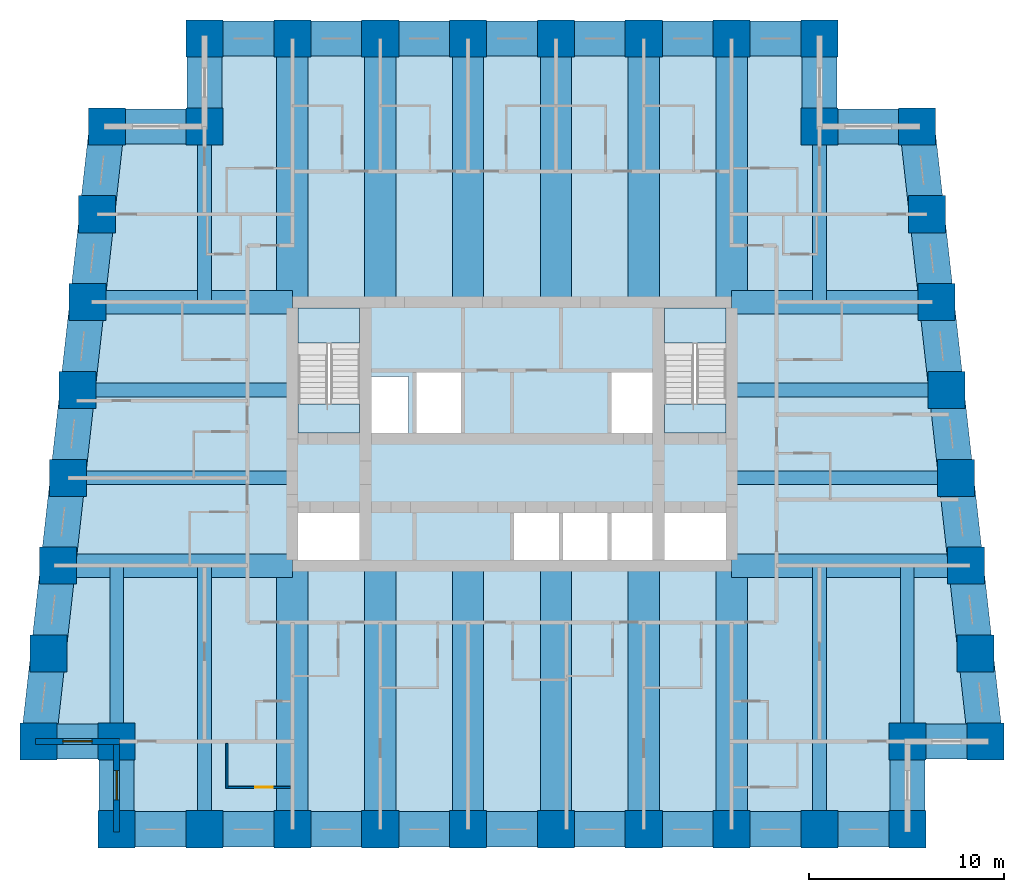
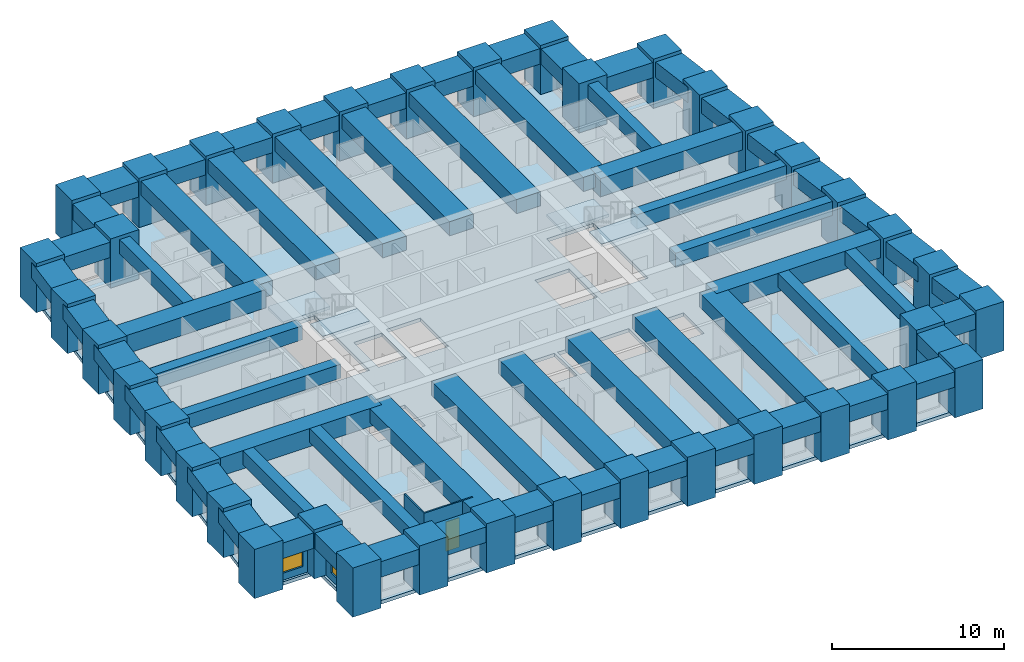
# One storey, part 1 of 8: 64 beams, 38 columns, 5 slabs, 4 walls, 2 windows, 1 door, 3 openings, 2 elements without a shape of their own.
"""IFC4 building model written with IfcOpenShell, lengths in metres."""

from ifc_helpers import new_model, si_unit, direction, frame, frame_2d, origin, origin_2d, place, context, subcontext, project, spatial, polyline, rectangle, outline, extrude, material, layer, layer_set, material_profile, profile_set, type_object, element, fill, aggregate, save


model = new_model("IFC4")

# Units and contexts
model_context = context("Model", 3, precision=1e-05, world=origin(), true_north=direction((0.0, 1.0)))
body_context = subcontext(model_context, "Body", "Model", "MODEL_VIEW")
ifc_project = project(units=[si_unit("LENGTHUNIT", "METRE"), si_unit("AREAUNIT", "SQUARE_METRE"), si_unit("VOLUMEUNIT", "CUBIC_METRE"), si_unit("PLANEANGLEUNIT", "RADIAN"), si_unit("MASSUNIT", "GRAM", prefix="KILO")], contexts=[model_context])

# Site, building, storey
site_placement = place(None, origin())
site = spatial("IfcSite", under=ifc_project, at=site_placement, CompositionType="ELEMENT")
building_placement = place(site_placement, origin())
building = spatial("IfcBuilding", under=site, at=building_placement, Name="Kilele Tower Hotel", CompositionType="ELEMENT")
storey_placement = place(building_placement, frame((0.0, 0.0, 96.89990234375)))
storey = spatial("IfcBuildingStorey", under=building, at=storey_placement, Name="L24", CompositionType="ELEMENT", Elevation=96.89990234375)

# Columns
ifc_material_1 = material(Name="Concrete C70/85", Category="concrete")
ifc_material_profile_1 = material_profile(ifc_material_1, rectangle(XDim=1.89990234375, YDim=1.89990234375, at=origin_2d()))
ifc_profile_set_1 = profile_set([ifc_material_profile_1], Name="Concrete C70/85")
column_type = type_object("IfcColumnType", Name="Tube column RC 1900x1900 C70/85", PredefinedType="COLUMN", material=ifc_profile_set_1)
for number, where, z_axis, x_axis, name in (
    (1, (0.5, 4.5, 0.0), (0.0, 0.0, 1.0), (1.0, 0.0, 0.0), "Column TC2 L24"),
    (2, (4.5, 4.5, 0.0), (0.0, 0.0, 1.0), (1.0, 0.0, 0.0), "Column TC2 L24"),
    (3, (4.5, 0.0, 0.0), (0.0, 0.0, 1.0), (1.0, 0.0, 0.0), "Column TC2 L24"),
    (4, (9.0, 0.0, 0.0), (0.0, 0.0, 1.0), (1.0, 0.0, 0.0), "Column TC2 L24"),
    (5, (13.5, 0.0, 0.0), (0.0, 0.0, 1.0), (1.0, 0.0, 0.0), "Column TC2 L24"),
    (6, (18.0, 0.0, 0.0), (0.0, 0.0, 1.0), (1.0, 0.0, 0.0), "Column TC2 L24"),
    (7, (22.5, 0.0, 0.0), (0.0, 0.0, 1.0), (1.0, 0.0, 0.0), "Column TC2 L24"),
    (8, (27.0, 0.0, 0.0), (0.0, 0.0, 1.0), (1.0, 0.0, 0.0), "Column TC2 L24"),
    (9, (31.5, 0.0, 0.0), (0.0, 0.0, 1.0), (1.0, 0.0, 0.0), "Column TC2 L24"),
    (10, (36.0, 0.0, 0.0), (0.0, 0.0, 1.0), (1.0, 0.0, 0.0), "Column TC2 L24"),
    (11, (40.5, 0.0, 0.0), (0.0, 0.0, 1.0), (1.0, 0.0, 0.0), "Column TC2 L24"),
    (12, (45.0, 0.0, 0.0), (0.0, 0.0, 1.0), (1.0, 0.0, 0.0), "Column TC2 L24"),
    (13, (45.0, 4.5, 0.0), (0.0, 0.0, 1.0), (1.0, 0.0, 0.0), "Column TC2 L24"),
    (14, (49.0, 4.5, 0.0), (0.0, 0.0, 1.0), (1.0, 0.0, 0.0), "Column TC2 L24"),
    (15, (48.5, 9.0, 0.0), (0.0, 0.0, 1.0), (1.0, 0.0, 0.0), "Column TC2 L24"),
    (16, (48.0, 13.5, 0.0), (0.0, 0.0, 1.0), (1.0, 0.0, 0.0), "Column TC2 L24"),
    (17, (47.5, 18.0, 0.0), (0.0, 0.0, 1.0), (1.0, 0.0, 0.0), "Column TC2 L24"),
    (18, (47.0, 22.5, 0.0), (0.0, 0.0, 1.0), (1.0, 0.0, 0.0), "Column TC2 L24"),
    (19, (46.5, 27.0, 0.0), (0.0, 0.0, 1.0), (1.0, 0.0, 0.0), "Column TC2 L24"),
    (20, (46.0, 31.5, 0.0), (0.0, 0.0, 1.0), (1.0, 0.0, 0.0), "Column TC2 L24"),
    (21, (45.5, 36.0, 0.0), (0.0, 0.0, 1.0), (1.0, 0.0, 0.0), "Column TC2 L24"),
    (22, (40.5, 36.0, 0.0), (0.0, 0.0, 1.0), (1.0, 0.0, 0.0), "Column TC2 L24"),
    (23, (40.5, 40.5, 0.0), (0.0, 0.0, 1.0), (1.0, 0.0, 0.0), "Column TC2 L24"),
    (24, (36.0, 40.5, 0.0), (0.0, 0.0, 1.0), (1.0, 0.0, 0.0), "Column TC2 L24"),
    (25, (31.5, 40.5, 0.0), (0.0, 0.0, 1.0), (1.0, 0.0, 0.0), "Column TC2 L24"),
    (26, (27.0, 40.5, 0.0), (0.0, 0.0, 1.0), (1.0, 0.0, 0.0), "Column TC2 L24"),
    (27, (22.5, 40.5, 0.0), (0.0, 0.0, 1.0), (1.0, 0.0, 0.0), "Column TC2 L24"),
    (28, (18.0, 40.5, 0.0), (0.0, 0.0, 1.0), (1.0, 0.0, 0.0), "Column TC2 L24"),
    (29, (13.5, 40.5, 0.0), (0.0, 0.0, 1.0), (1.0, 0.0, 0.0), "Column TC2 L24"),
    (30, (9.0, 40.5, 0.0), (0.0, 0.0, 1.0), (1.0, 0.0, 0.0), "Column TC2 L24"),
    (31, (9.0, 36.0, 0.0), (0.0, 0.0, 1.0), (1.0, 0.0, 0.0), "Column TC2 L24"),
    (32, (4.0, 36.0, 0.0), (0.0, 0.0, 1.0), (1.0, 0.0, 0.0), "Column TC2 L24"),
    (33, (3.5, 31.5, 0.0), (0.0, 0.0, 1.0), (1.0, 0.0, 0.0), "Column TC2 L24"),
    (34, (3.0, 27.0, 0.0), (0.0, 0.0, 1.0), (1.0, 0.0, 0.0), "Column TC2 L24"),
    (35, (2.5, 22.5, 0.0), (0.0, 0.0, 1.0), (1.0, 0.0, 0.0), "Column TC2 L24"),
    (36, (2.0, 18.0, 0.0), (0.0, 0.0, 1.0), (1.0, 0.0, 0.0), "Column TC2 L24"),
    (37, (1.5, 13.5, 0.0), (0.0, 0.0, 1.0), (1.0, 0.0, 0.0), "Column TC2 L24"),
    (38, (1.0, 9.0, 0.0), (0.0, 0.0, 1.0), (1.0, 0.0, 0.0), "Column TC2 L24"),
):
    element("IfcColumn", number, at=place(storey_placement, frame(where, z_axis=z_axis, x_axis=x_axis)), inside=storey, type_object=column_type, Name=name, PredefinedType="COLUMN", context=body_context, shape_type="SweptSolid", body=[
        extrude(rectangle(XDim=1.89990234375, YDim=1.89990234375, at=origin_2d()), origin(), (0.0, 0.0, 1.0), 3.5),
    ])

# Beams
ifc_material_2 = material(Name="Concrete C60/75", Category="concrete")
ifc_material_profile_2 = material_profile(ifc_material_2, rectangle(XDim=1.60009765625, YDim=1.0, at=origin_2d()))
ifc_profile_set_2 = profile_set([ifc_material_profile_2], Name="Concrete C60/75")
beam_type_1 = type_object("IfcBeamType", Name="Beam RC 1600x1000 C60/75", PredefinedType="BEAM", material=ifc_profile_set_2)
for number, where, z_axis, x_axis, name in (
    (39, (13.5, 0.0, 2.75), (0.0, 1.0, 0.0), (-1.0, 0.0, 0.0), "Beam BC1 level L25"),
    (40, (18.0, 0.0, 2.75), (0.0, 1.0, 0.0), (-1.0, 0.0, 0.0), "Beam BC1 level L25"),
    (41, (22.5, 0.0, 2.75), (0.0, 1.0, 0.0), (-1.0, 0.0, 0.0), "Beam BC1 level L25"),
    (42, (27.0, 0.0, 2.75), (0.0, 1.0, 0.0), (-1.0, 0.0, 0.0), "Beam BC1 level L25"),
    (43, (31.5, 0.0, 2.75), (0.0, 1.0, 0.0), (-1.0, 0.0, 0.0), "Beam BC1 level L25"),
    (44, (36.0, 0.0, 2.75), (0.0, 1.0, 0.0), (-1.0, 0.0, 0.0), "Beam BC1 level L25"),
    (45, (36.0, 40.5, 2.75), (0.0, -1.0, 0.0), (1.0, 0.0, 0.0), "Beam BC1 level L25"),
    (46, (31.5, 40.5, 2.75), (0.0, -1.0, 0.0), (1.0, 0.0, 0.0), "Beam BC1 level L25"),
    (47, (27.0, 40.5, 2.75), (0.0, -1.0, 0.0), (1.0, 0.0, 0.0), "Beam BC1 level L25"),
    (48, (22.5, 40.5, 2.75), (0.0, -1.0, 0.0), (1.0, 0.0, 0.0), "Beam BC1 level L25"),
    (49, (18.0, 40.5, 2.75), (0.0, -1.0, 0.0), (1.0, 0.0, 0.0), "Beam BC1 level L25"),
    (50, (13.5, 40.5, 2.75), (0.0, -1.0, 0.0), (1.0, 0.0, 0.0), "Beam BC1 level L25"),
):
    element("IfcBeam", number, at=place(storey_placement, frame(where, z_axis=z_axis, x_axis=x_axis)), inside=storey, type_object=beam_type_1, Name=name, PredefinedType="BEAM", context=body_context, shape_type="SweptSolid", body=[
        extrude(rectangle(XDim=1.60009765625, YDim=1.0, at=origin_2d()), origin(), (0.0, 0.0, 1.0), 13.5),
    ])
ifc_material_3 = material(Name="Concrete C60/75", Category="concrete")
ifc_material_profile_3 = material_profile(ifc_material_3, rectangle(XDim=0.699951171875, YDim=1.0, at=origin_2d()))
ifc_profile_set_3 = profile_set([ifc_material_profile_3], Name="Concrete C60/75")
beam_type_2 = type_object("IfcBeamType", Name="Beam RC 700x1000 C60/75", PredefinedType="BEAM", material=ifc_profile_set_3)
for number, where, z_axis, x_axis, name in (
    (51, (9.0, 0.0, 2.75), (0.0, 1.0, 0.0), (-1.0, 0.0, 0.0), "Beam B4 level L25"),
    (52, (40.5, 0.0, 2.75), (0.0, 1.0, 0.0), (-1.0, 0.0, 0.0), "Beam B4 level L25"),
):
    element("IfcBeam", number, at=place(storey_placement, frame(where, z_axis=z_axis, x_axis=x_axis)), inside=storey, type_object=beam_type_2, Name=name, PredefinedType="BEAM", context=body_context, shape_type="SweptSolid", body=[
        extrude(rectangle(XDim=0.699951171875, YDim=1.0, at=origin_2d()), origin(), (0.0, 0.0, 1.0), 13.5),
    ])
ifc_material_4 = material(Name="Concrete C60/75", Category="concrete")
ifc_material_profile_4 = material_profile(ifc_material_4, rectangle(XDim=0.699951171875, YDim=1.0, at=origin_2d()))
ifc_profile_set_4 = profile_set([ifc_material_profile_4], Name="Concrete C60/75")
beam_type_3 = type_object("IfcBeamType", Name="Beam RC 700x1000 C60/75 mid span", PredefinedType="BEAM", material=ifc_profile_set_4)
for number, where, z_axis, x_axis, name in (
    (53, (4.5, 4.5, 2.75), (0.0, 1.0, 0.0), (-1.0, 0.0, 0.0), "Beam B5 level L25"),
    (54, (45.0, 4.5, 2.75), (0.0, 1.0, 0.0), (-1.0, 0.0, 0.0), "Beam B5 level L25"),
):
    element("IfcBeam", number, at=place(storey_placement, frame(where, z_axis=z_axis, x_axis=x_axis)), inside=storey, type_object=beam_type_3, Name=name, PredefinedType="BEAM", context=body_context, shape_type="SweptSolid", body=[
        extrude(rectangle(XDim=0.699951171875, YDim=1.0, at=origin_2d()), origin(), (0.0, 0.0, 1.0), 9.0),
    ])
beam_1_placement = place(storey_placement, frame((47.5, 18.0, 2.75), z_axis=(-1.0, 0.0, 0.0), x_axis=(0.0, -1.0, 0.0)))
element("IfcBeam", 55, at=beam_1_placement, inside=storey, type_object=beam_type_3, Name="Beam B5 level L25", PredefinedType="BEAM", context=body_context, shape_type="SweptSolid", body=[
    extrude(rectangle(XDim=0.699951171875, YDim=1.0, at=origin_2d()), origin(), (0.0, 0.0, 1.0), 11.5),
])
beam_2_placement = place(storey_placement, frame((47.0, 22.5, 2.75), z_axis=(-1.0, 0.0, 0.0), x_axis=(0.0, -1.0, 0.0)))
element("IfcBeam", 56, at=beam_2_placement, inside=storey, type_object=beam_type_3, Name="Beam B5 level L25", PredefinedType="BEAM", context=body_context, shape_type="SweptSolid", body=[
    extrude(rectangle(XDim=0.699951171875, YDim=1.0, at=origin_2d()), origin(), (0.0, 0.0, 1.0), 11.0),
])
for number, where, z_axis, x_axis, name in (
    (57, (40.5, 36.0, 2.75), (0.0, -1.0, 0.0), (1.0, 0.0, 0.0), "Beam B5 level L25"),
    (58, (9.0, 36.0, 2.75), (0.0, -1.0, 0.0), (1.0, 0.0, 0.0), "Beam B5 level L25"),
):
    element("IfcBeam", number, at=place(storey_placement, frame(where, z_axis=z_axis, x_axis=x_axis)), inside=storey, type_object=beam_type_3, Name=name, PredefinedType="BEAM", context=body_context, shape_type="SweptSolid", body=[
        extrude(rectangle(XDim=0.699951171875, YDim=1.0, at=origin_2d()), origin(), (0.0, 0.0, 1.0), 9.0),
    ])
beam_3_placement = place(storey_placement, frame((2.5, 22.5, 2.75), z_axis=(1.0, 0.0, 0.0), x_axis=(0.0, 1.0, 0.0)))
element("IfcBeam", 59, at=beam_3_placement, inside=storey, type_object=beam_type_3, Name="Beam B5 level L25", PredefinedType="BEAM", context=body_context, shape_type="SweptSolid", body=[
    extrude(rectangle(XDim=0.699951171875, YDim=1.0, at=origin_2d()), origin(), (0.0, 0.0, 1.0), 11.0),
])
beam_4_placement = place(storey_placement, frame((2.0, 18.0, 2.75), z_axis=(1.0, 0.0, 0.0), x_axis=(0.0, 1.0, 0.0)))
element("IfcBeam", 60, at=beam_4_placement, inside=storey, type_object=beam_type_3, Name="Beam B5 level L25", PredefinedType="BEAM", context=body_context, shape_type="SweptSolid", body=[
    extrude(rectangle(XDim=0.699951171875, YDim=1.0, at=origin_2d()), origin(), (0.0, 0.0, 1.0), 11.5),
])
ifc_material_5 = material(Name="Concrete C60/75", Category="concrete")
ifc_material_profile_5 = material_profile(ifc_material_5, rectangle(XDim=1.199951171875, YDim=1.300048828125, at=origin_2d()))
ifc_profile_set_5 = profile_set([ifc_material_profile_5], Name="Concrete C60/75")
beam_type_4 = type_object("IfcBeamType", Name="Girder RC 1200x1300 C60/75", PredefinedType="BEAM", material=ifc_profile_set_5)
for number, where, z_axis, x_axis, name in (
    (61, (48.0, 13.5, 2.60009765625), (-1.0, 0.0, 0.0), (0.0, -1.0, 0.0), "Girder G1 level L25"),
    (62, (1.5, 13.5, 2.60009765625), (1.0, 0.0, 0.0), (0.0, 1.0, 0.0), "Girder G1 level L25"),
):
    element("IfcBeam", number, at=place(storey_placement, frame(where, z_axis=z_axis, x_axis=x_axis)), inside=storey, type_object=beam_type_4, Name=name, PredefinedType="BEAM", context=body_context, shape_type="SweptSolid", body=[
        extrude(rectangle(XDim=1.199951171875, YDim=1.300048828125, at=origin_2d()), origin(), (0.0, 0.0, 1.0), 12.0),
    ])
ifc_material_6 = material(Name="Concrete C60/75", Category="concrete")
ifc_material_profile_6 = material_profile(ifc_material_6, rectangle(XDim=1.199951171875, YDim=1.300048828125, at=origin_2d()))
ifc_profile_set_6 = profile_set([ifc_material_profile_6], Name="Concrete C60/75")
beam_type_5 = type_object("IfcBeamType", Name="Girder RC 1200x1300 C60/75 mid span", PredefinedType="BEAM", material=ifc_profile_set_6)
for number, where, z_axis, x_axis, name in (
    (63, (46.5, 27.0, 2.60009765625), (-1.0, 0.0, 0.0), (0.0, -1.0, 0.0), "Girder G3 level L25"),
    (64, (3.0, 27.0, 2.60009765625), (1.0, 0.0, 0.0), (0.0, 1.0, 0.0), "Girder G3 level L25"),
):
    element("IfcBeam", number, at=place(storey_placement, frame(where, z_axis=z_axis, x_axis=x_axis)), inside=storey, type_object=beam_type_5, Name=name, PredefinedType="BEAM", context=body_context, shape_type="SweptSolid", body=[
        extrude(rectangle(XDim=1.199951171875, YDim=1.300048828125, at=origin_2d()), origin(), (0.0, 0.0, 1.0), 10.5),
    ])
ifc_material_7 = material(Name="Concrete C60/75", Category="concrete")
ifc_material_profile_7 = material_profile(ifc_material_7, rectangle(XDim=1.800048828125, YDim=1.10009765625, at=origin_2d()))
ifc_profile_set_7 = profile_set([ifc_material_profile_7], Name="Concrete C60/75")
beam_type_6 = type_object("IfcBeamType", Name="Spandrel RC 1800x1100 C60/75", PredefinedType="SPANDREL", material=ifc_profile_set_7)
beam_5_placement = place(storey_placement, frame((0.5, 4.5, 2.7001953125), z_axis=(1.0, 0.0, 0.0), x_axis=(0.0, 1.0, 0.0)))
element("IfcBeam", 65, at=beam_5_placement, inside=storey, type_object=beam_type_6, Name="Spandrel SP4 level L25", PredefinedType="SPANDREL", context=body_context, shape_type="SweptSolid", body=[
    extrude(rectangle(XDim=1.800048828125, YDim=1.10009765625, at=origin_2d()), origin(), (0.0, 0.0, 1.0), 4.0),
])
for number, where, z_axis, x_axis, name in (
    (66, (4.5, 4.5, 2.7001953125), (0.0, -1.0, 0.0), (1.0, 0.0, 0.0), "Spandrel SP4 level L25"),
    (67, (4.5, 0.0, 2.7001953125), (1.0, 0.0, 0.0), (0.0, 1.0, 0.0), "Spandrel SP4 level L25"),
    (68, (9.0, 0.0, 2.7001953125), (1.0, 0.0, 0.0), (0.0, 1.0, 0.0), "Spandrel SP4 level L25"),
    (69, (13.5, 0.0, 2.7001953125), (1.0, 0.0, 0.0), (0.0, 1.0, 0.0), "Spandrel SP4 level L25"),
    (70, (18.0, 0.0, 2.7001953125), (1.0, 0.0, 0.0), (0.0, 1.0, 0.0), "Spandrel SP4 level L25"),
    (71, (22.5, 0.0, 2.7001953125), (1.0, 0.0, 0.0), (0.0, 1.0, 0.0), "Spandrel SP4 level L25"),
    (72, (27.0, 0.0, 2.7001953125), (1.0, 0.0, 0.0), (0.0, 1.0, 0.0), "Spandrel SP4 level L25"),
    (73, (31.5, 0.0, 2.7001953125), (1.0, 0.0, 0.0), (0.0, 1.0, 0.0), "Spandrel SP4 level L25"),
    (74, (36.0, 0.0, 2.7001953125), (1.0, 0.0, 0.0), (0.0, 1.0, 0.0), "Spandrel SP4 level L25"),
    (75, (40.5, 0.0, 2.7001953125), (1.0, 0.0, 0.0), (0.0, 1.0, 0.0), "Spandrel SP4 level L25"),
    (76, (45.0, 0.0, 2.7001953125), (0.0, 1.0, 0.0), (-1.0, 0.0, 0.0), "Spandrel SP4 level L25"),
):
    element("IfcBeam", number, at=place(storey_placement, frame(where, z_axis=z_axis, x_axis=x_axis)), inside=storey, type_object=beam_type_6, Name=name, PredefinedType="SPANDREL", context=body_context, shape_type="SweptSolid", body=[
        extrude(rectangle(XDim=1.800048828125, YDim=1.10009765625, at=origin_2d()), origin(), (0.0, 0.0, 1.0), 4.5),
    ])
beam_6_placement = place(storey_placement, frame((45.0, 4.5, 2.7001953125), z_axis=(1.0, 0.0, 0.0), x_axis=(0.0, 1.0, 0.0)))
element("IfcBeam", 77, at=beam_6_placement, inside=storey, type_object=beam_type_6, Name="Spandrel SP4 level L25", PredefinedType="SPANDREL", context=body_context, shape_type="SweptSolid", body=[
    extrude(rectangle(XDim=1.800048828125, YDim=1.10009765625, at=origin_2d()), origin(), (0.0, 0.0, 1.0), 4.0),
])
for number, where, z_axis, x_axis, name in (
    (78, (49.0, 4.5, 2.7001953125), (-0.110431526075, 0.993883734674, 0.0), (-0.993883734674, -0.110431526075, 0.0), "Spandrel SP4 level L25"),
    (79, (48.5, 9.0, 2.7001953125), (-0.110431526075, 0.993883734674, 0.0), (-0.993883734674, -0.110431526075, 0.0), "Spandrel SP4 level L25"),
    (80, (48.0, 13.5, 2.7001953125), (-0.110431526075, 0.993883734674, 0.0), (-0.993883734674, -0.110431526075, 0.0), "Spandrel SP4 level L25"),
    (81, (47.5, 18.0, 2.7001953125), (-0.110431526075, 0.993883734674, 0.0), (-0.993883734674, -0.110431526075, 0.0), "Spandrel SP4 level L25"),
    (82, (47.0, 22.5, 2.7001953125), (-0.110431526075, 0.993883734674, 0.0), (-0.993883734674, -0.110431526075, 0.0), "Spandrel SP4 level L25"),
    (83, (46.5, 27.0, 2.7001953125), (-0.110431526075, 0.993883734674, 0.0), (-0.993883734674, -0.110431526075, 0.0), "Spandrel SP4 level L25"),
    (84, (46.0, 31.5, 2.7001953125), (-0.110431526075, 0.993883734674, 0.0), (-0.993883734674, -0.110431526075, 0.0), "Spandrel SP4 level L25"),
):
    element("IfcBeam", number, at=place(storey_placement, frame(where, z_axis=z_axis, x_axis=x_axis)), inside=storey, type_object=beam_type_6, Name=name, PredefinedType="SPANDREL", context=body_context, shape_type="SweptSolid", body=[
        extrude(rectangle(XDim=1.800048828125, YDim=1.10009765625, at=origin_2d()), origin(), (0.0, 0.0, 1.0), 4.527587890625),
    ])
beam_7_placement = place(storey_placement, frame((45.5, 36.0, 2.7001953125), z_axis=(-1.0, 0.0, 0.0), x_axis=(0.0, -1.0, 0.0)))
element("IfcBeam", 85, at=beam_7_placement, inside=storey, type_object=beam_type_6, Name="Spandrel SP4 level L25", PredefinedType="SPANDREL", context=body_context, shape_type="SweptSolid", body=[
    extrude(rectangle(XDim=1.800048828125, YDim=1.10009765625, at=origin_2d()), origin(), (0.0, 0.0, 1.0), 5.0),
])
for number, where, z_axis, x_axis, name in (
    (86, (40.5, 36.0, 2.7001953125), (0.0, 1.0, 0.0), (-1.0, 0.0, 0.0), "Spandrel SP4 level L25"),
    (87, (40.5, 40.5, 2.7001953125), (-1.0, 0.0, 0.0), (0.0, -1.0, 0.0), "Spandrel SP4 level L25"),
    (88, (36.0, 40.5, 2.7001953125), (-1.0, 0.0, 0.0), (0.0, -1.0, 0.0), "Spandrel SP4 level L25"),
    (89, (31.5, 40.5, 2.7001953125), (-1.0, 0.0, 0.0), (0.0, -1.0, 0.0), "Spandrel SP4 level L25"),
    (90, (27.0, 40.5, 2.7001953125), (-1.0, 0.0, 0.0), (0.0, -1.0, 0.0), "Spandrel SP4 level L25"),
    (91, (22.5, 40.5, 2.7001953125), (-1.0, 0.0, 0.0), (0.0, -1.0, 0.0), "Spandrel SP4 level L25"),
    (92, (18.0, 40.5, 2.7001953125), (-1.0, 0.0, 0.0), (0.0, -1.0, 0.0), "Spandrel SP4 level L25"),
    (93, (13.5, 40.5, 2.7001953125), (-1.0, 0.0, 0.0), (0.0, -1.0, 0.0), "Spandrel SP4 level L25"),
    (94, (9.0, 40.5, 2.7001953125), (0.0, -1.0, 0.0), (1.0, 0.0, 0.0), "Spandrel SP4 level L25"),
):
    element("IfcBeam", number, at=place(storey_placement, frame(where, z_axis=z_axis, x_axis=x_axis)), inside=storey, type_object=beam_type_6, Name=name, PredefinedType="SPANDREL", context=body_context, shape_type="SweptSolid", body=[
        extrude(rectangle(XDim=1.800048828125, YDim=1.10009765625, at=origin_2d()), origin(), (0.0, 0.0, 1.0), 4.5),
    ])
beam_8_placement = place(storey_placement, frame((9.0, 36.0, 2.7001953125), z_axis=(-1.0, 0.0, 0.0), x_axis=(0.0, -1.0, 0.0)))
element("IfcBeam", 95, at=beam_8_placement, inside=storey, type_object=beam_type_6, Name="Spandrel SP4 level L25", PredefinedType="SPANDREL", context=body_context, shape_type="SweptSolid", body=[
    extrude(rectangle(XDim=1.800048828125, YDim=1.10009765625, at=origin_2d()), origin(), (0.0, 0.0, 1.0), 5.0),
])
for number, where, z_axis, x_axis, name in (
    (96, (4.0, 36.0, 2.7001953125), (-0.110431526075, -0.993883734674, 0.0), (0.993883734674, -0.110431526075, 0.0), "Spandrel SP4 level L25"),
    (97, (3.5, 31.5, 2.7001953125), (-0.110431526075, -0.993883734674, 0.0), (0.993883734674, -0.110431526075, 0.0), "Spandrel SP4 level L25"),
    (98, (3.0, 27.0, 2.7001953125), (-0.110431526075, -0.993883734674, 0.0), (0.993883734674, -0.110431526075, 0.0), "Spandrel SP4 level L25"),
    (99, (2.5, 22.5, 2.7001953125), (-0.110431526075, -0.993883734674, 0.0), (0.993883734674, -0.110431526075, 0.0), "Spandrel SP4 level L25"),
    (100, (2.0, 18.0, 2.7001953125), (-0.110431526075, -0.993883734674, 0.0), (0.993883734674, -0.110431526075, 0.0), "Spandrel SP4 level L25"),
    (101, (1.5, 13.5, 2.7001953125), (-0.110431526075, -0.993883734674, 0.0), (0.993883734674, -0.110431526075, 0.0), "Spandrel SP4 level L25"),
    (102, (1.0, 9.0, 2.7001953125), (-0.110431526075, -0.993883734674, 0.0), (0.993883734674, -0.110431526075, 0.0), "Spandrel SP4 level L25"),
):
    element("IfcBeam", number, at=place(storey_placement, frame(where, z_axis=z_axis, x_axis=x_axis)), inside=storey, type_object=beam_type_6, Name=name, PredefinedType="SPANDREL", context=body_context, shape_type="SweptSolid", body=[
        extrude(rectangle(XDim=1.800048828125, YDim=1.10009765625, at=origin_2d()), origin(), (0.0, 0.0, 1.0), 4.527587890625),
    ])

# Slab
ifc_material_8 = material(Name="Concrete C60/75", Category="concrete")
ifc_layer_1 = layer(ifc_material_8, 0.25)
ifc_layer_set_1 = layer_set([ifc_layer_1], Name="Concrete C60/75")
slab_type_1 = type_object("IfcSlabType", Name="Floor slab 250", PredefinedType="FLOOR", material=ifc_layer_set_1)
slab_1_placement = place(storey_placement, frame((0.0, 0.0, -0.25)))
element("IfcSlab", 103, at=slab_1_placement, inside=storey, type_object=slab_type_1, Name="Floor slab L24", PredefinedType="FLOOR", context=body_context, shape_type="SweptSolid", body=[
    extrude(outline(polyline([(8.699951171875, 36.300048828125), (8.699951171875, 40.800048828125), (40.800048828125, 40.800048828125), (40.800048828125, 36.300048828125), (45.7685546875, 36.300048828125), (49.335205078125, 4.199951171875), (45.300048828125, 4.199951171875), (45.300048828125, -0.300048828125), (4.199951171875, -0.300048828125), (4.199951171875, 4.199951171875), (0.164794921875, 4.199951171875), (3.7314453125, 36.300048828125), (8.699951171875, 36.300048828125)]), holes=[polyline([(16.949951171875, 16.199951171875), (13.800048828125, 16.199951171875), (13.800048828125, 13.800048828125), (16.949951171875, 13.800048828125), (16.949951171875, 16.199951171875)]), polyline([(35.699951171875, 16.199951171875), (32.550048828125, 16.199951171875), (32.550048828125, 13.800048828125), (35.699951171875, 13.800048828125), (35.699951171875, 16.199951171875)]), polyline([(27.14990234375, 16.39990234375), (24.85009765625, 16.39990234375), (24.85009765625, 13.800048828125), (27.14990234375, 13.800048828125), (27.14990234375, 16.39990234375)]), polyline([(29.64990234375, 13.800048828125), (29.64990234375, 16.39990234375), (27.35009765625, 16.39990234375), (27.35009765625, 13.800048828125), (29.64990234375, 13.800048828125)]), polyline([(32.14990234375, 13.800048828125), (32.14990234375, 16.39990234375), (29.85009765625, 16.39990234375), (29.85009765625, 13.800048828125), (32.14990234375, 13.800048828125)]), polyline([(19.449951171875, 23.199951171875), (17.550048828125, 23.199951171875), (17.550048828125, 20.300048828125), (19.449951171875, 20.300048828125), (19.449951171875, 23.199951171875)]), polyline([(22.14990234375, 23.39990234375), (19.85009765625, 23.39990234375), (19.85009765625, 20.10009765625), (22.14990234375, 20.10009765625), (22.14990234375, 23.39990234375)]), polyline([(32.14990234375, 23.39990234375), (29.85009765625, 23.39990234375), (29.85009765625, 20.10009765625), (32.14990234375, 20.10009765625), (32.14990234375, 23.39990234375)]), polyline([(16.949951171875, 20.300048828125), (16.949951171875, 26.699951171875), (13.800048828125, 26.699951171875), (13.800048828125, 20.300048828125), (16.949951171875, 20.300048828125)]), polyline([(35.699951171875, 20.300048828125), (35.699951171875, 26.699951171875), (32.550048828125, 26.699951171875), (32.550048828125, 20.300048828125), (35.699951171875, 20.300048828125)])]), origin(), (0.0, 0.0, 1.0), 0.25),
])

# Stair, slabs
ifc_material_9 = material(Name="Precast concrete C40/50", Category="concrete")
stair_type = type_object("IfcStairType", Name="Stair 1475 x 3500", PredefinedType="HALF_TURN_STAIR", material=ifc_material_9)
stair_1_placement = place(storey_placement, origin())
stair_1 = element("IfcStair", 104, at=stair_1_placement, inside=storey, type_object=stair_type, Name="Stair 1 L24", PredefinedType="HALF_TURN_STAIR")
ifc_material_10 = material(Name="Precast concrete C40/50", Category="concrete")
ifc_layer_2 = layer(ifc_material_10, 0.199951171875)
ifc_layer_set_2 = layer_set([ifc_layer_2], Name="Precast concrete C40/50")
slab_type_2 = type_object("IfcSlabType", Name="Stair landing 200", PredefinedType="LANDING", material=ifc_layer_set_2)
slab_2_placement = place(storey_placement, frame((0.0, 0.0, 1.550048828125)))
slab_2 = element("IfcSlab", 105, at=slab_2_placement, type_object=slab_type_2, Name="ST1 landing 1", PredefinedType="LANDING", context=body_context, shape_type="SweptSolid", body=[
    extrude(outline(polyline([(13.800048828125, 24.89501953125), (16.949951171875, 24.89501953125), (16.949951171875, 26.699951171875), (13.800048828125, 26.699951171875), (13.800048828125, 24.89501953125)])), origin(), (0.0, 0.0, 1.0), 0.199951171875),
])
slab_3_placement = place(storey_placement, frame((0.0, 0.0, 3.300048828125)))
slab_3 = element("IfcSlab", 106, at=slab_3_placement, type_object=slab_type_2, Name="ST1 landing 2", PredefinedType="LANDING", context=body_context, shape_type="SweptSolid", body=[
    extrude(outline(polyline([(13.800048828125, 20.300048828125), (16.949951171875, 20.300048828125), (16.949951171875, 21.77490234375), (13.800048828125, 21.77490234375), (13.800048828125, 20.300048828125)])), origin(), (0.0, 0.0, 1.0), 0.199951171875),
])
aggregate(stair_1, [slab_2, slab_3])

stair_2_placement = place(storey_placement, origin())
stair_2 = element("IfcStair", 107, at=stair_2_placement, inside=storey, type_object=stair_type, Name="Stair 2 L24", PredefinedType="HALF_TURN_STAIR")
slab_4_placement = place(storey_placement, frame((0.0, 0.0, 1.550048828125)))
slab_4 = element("IfcSlab", 108, at=slab_4_placement, type_object=slab_type_2, Name="ST2 landing 1", PredefinedType="LANDING", context=body_context, shape_type="SweptSolid", body=[
    extrude(outline(polyline([(32.550048828125, 24.89501953125), (35.699951171875, 24.89501953125), (35.699951171875, 26.699951171875), (32.550048828125, 26.699951171875), (32.550048828125, 24.89501953125)])), origin(), (0.0, 0.0, 1.0), 0.199951171875),
])
slab_5_placement = place(storey_placement, frame((0.0, 0.0, 3.300048828125)))
slab_5 = element("IfcSlab", 109, at=slab_5_placement, type_object=slab_type_2, Name="ST2 landing 2", PredefinedType="LANDING", context=body_context, shape_type="SweptSolid", body=[
    extrude(outline(polyline([(32.550048828125, 20.300048828125), (35.699951171875, 20.300048828125), (35.699951171875, 21.77490234375), (32.550048828125, 21.77490234375), (32.550048828125, 20.300048828125)])), origin(), (0.0, 0.0, 1.0), 0.199951171875),
])
aggregate(stair_2, [slab_4, slab_5])

# Wall
ifc_material_11 = material(Name="Moisture-resistant board")
ifc_layer_3 = layer(ifc_material_11, 0.10009765625)
ifc_layer_set_3 = layer_set([ifc_layer_3], Name="Moisture-resistant board")
wall_type_1 = type_object("IfcWallType", Name="Bathroom partition 100", PredefinedType="PLUMBINGWALL", material=ifc_layer_set_3)
wall_1_placement = place(storey_placement, frame((10.14990234375, 4.39990234375, 0.0), z_axis=(0.0, 0.0, 1.0), x_axis=(0.0, -1.0, 0.0)))
element("IfcWall", 110, at=wall_1_placement, inside=storey, type_object=wall_type_1, Name="Bathroom partition 100 L24", PredefinedType="PLUMBINGWALL", context=body_context, shape_type="SweptSolid", body=[
    extrude(rectangle(XDim=2.2998046875, YDim=0.10009765625, at=frame_2d((1.14990234375, 0.0))), origin(), (0.0, 0.0, 1.0), 3.25),
])

# Wall, opening, door
wall_2_placement = place(storey_placement, frame((13.39990234375, 2.14990234375, 0.0), z_axis=(0.0, 0.0, 1.0), x_axis=(-1.0, 0.0, 0.0)))
wall_2 = element("IfcWall", 111, at=wall_2_placement, inside=storey, type_object=wall_type_1, Name="Bathroom partition 100 L24", PredefinedType="PLUMBINGWALL", context=body_context, shape_type="SweptSolid", body=[
    extrude(rectangle(XDim=3.2998046875, YDim=0.10009765625, at=frame_2d((1.64990234375, 0.0))), origin(), (0.0, 0.0, 1.0), 3.25),
])
opening_1_placement = place(wall_2_placement, frame((0.89990234375, 0.0, 0.0)))
opening_1 = element("IfcOpeningElement", 112, at=opening_1_placement, cuts=wall_2, Name="Opening D2A", PredefinedType="OPENING", context=body_context, shape_type="SweptSolid", body=[
    extrude(rectangle(XDim=0.89990234375, YDim=2.10009765625, at=frame_2d((0.449951171875, 1.050048828125))), frame((0.0, 0.06005859375, 0.0), z_axis=(0.0, -1.0, 0.0), x_axis=(1.0, 0.0, 0.0)), (0.0, 0.0, 1.0), 0.1201171875),
])
ifc_material_12 = material(Name="Timber door leaf in hardwood frame", Category="wood")
door_type = type_object("IfcDoorType", Name="Bathroom door 900", OperationType="SINGLE_SWING_LEFT", PredefinedType="DOOR", material=ifc_material_12)
door_placement = place(opening_1_placement, origin())
door = element("IfcDoor", 113, at=door_placement, inside=storey, type_object=door_type, Name="Bathroom door 2419B", OperationType="SINGLE_SWING_LEFT", OverallHeight=2.10009765625, OverallWidth=0.89990234375, PredefinedType="DOOR", context=body_context, shape_type="SweptSolid", body=[
    extrude(rectangle(XDim=0.89990234375, YDim=2.10009765625, at=frame_2d((0.449951171875, 1.050048828125))), frame((0.0, 0.02490234375, 0.0), z_axis=(0.0, -1.0, 0.0), x_axis=(1.0, 0.0, 0.0)), (0.0, 0.0, 1.0), 0.050048828125),
])
fill(opening_1, door)

# Wall, opening, window
ifc_material_13 = material(Name="Concrete C40/50 precast", Category="concrete")
ifc_layer_4 = layer(ifc_material_13, 0.260009765625, Name="Precast backing", Category="LoadBearing")
ifc_material_14 = material(Name="Reconstituted stone finish", Category="masonry")
ifc_layer_5 = layer(ifc_material_14, 0.0400390625, Name="Face mix", Category="Finish")
ifc_layer_set_4 = layer_set([ifc_layer_4, ifc_layer_5], Name="Precast concrete C40/50, reconstituted stone finish")
wall_type_2 = type_object("IfcWallType", Name="Precast stone facade wall 300", PredefinedType="STANDARD", material=ifc_layer_set_4)
wall_3_placement = place(storey_placement, frame((0.35009765625, 4.5, 0.0), z_axis=(0.0, 0.0, 1.0), x_axis=(1.0, 0.0, 0.0)))
wall_3 = element("IfcWall", 114, at=wall_3_placement, inside=storey, type_object=wall_type_2, Name="Facade wall L24 edge 1", PredefinedType="STANDARD", context=body_context, shape_type="SweptSolid", body=[
    extrude(rectangle(XDim=4.2998046875, YDim=0.300048828125, at=frame_2d((2.14990234375, 0.0))), origin(), (0.0, 0.0, 1.0), 2.150146484375),
])
opening_2_placement = place(wall_3_placement, frame((1.39990234375, 0.0, 0.5)))
opening_2 = element("IfcOpeningElement", 115, at=opening_2_placement, cuts=wall_3, Name="Opening W2", PredefinedType="OPENING", context=body_context, shape_type="SweptSolid", body=[
    extrude(rectangle(XDim=1.5, YDim=1.5, at=frame_2d((0.75, 0.75))), frame((0.0, 0.159912109375, 0.0), z_axis=(0.0, -1.0, 0.0), x_axis=(1.0, 0.0, 0.0)), (0.0, 0.0, 1.0), 0.320068359375),
])
ifc_material_15 = material(Name="Aluminium frame, clear double glazing", Category="aluminium")
window_type = type_object("IfcWindowType", Name="Window W2 1500 x 1500", PartitioningType="SINGLE_PANEL", PredefinedType="WINDOW", material=ifc_material_15)
window_1_placement = place(opening_2_placement, origin())
window_1 = element("IfcWindow", 116, at=window_1_placement, inside=storey, type_object=window_type, Name="Window L24", OverallHeight=1.5, OverallWidth=1.5, PartitioningType="SINGLE_PANEL", PredefinedType="WINDOW", context=body_context, shape_type="SweptSolid", body=[
    extrude(rectangle(XDim=1.5, YDim=1.5, at=frame_2d((0.75, 0.75))), frame((0.0, 0.030029296875, 0.0), z_axis=(0.0, -1.0, 0.0), x_axis=(1.0, 0.0, 0.0)), (0.0, 0.0, 1.0), 0.06005859375),
])
fill(opening_2, window_1)

wall_4_placement = place(storey_placement, frame((4.5, 4.64990234375, 0.0), z_axis=(0.0, 0.0, 1.0), x_axis=(0.0, -1.0, 0.0)))
wall_4 = element("IfcWall", 117, at=wall_4_placement, inside=storey, type_object=wall_type_2, Name="Facade wall L24 edge 2", PredefinedType="STANDARD", context=body_context, shape_type="SweptSolid", body=[
    extrude(rectangle(XDim=4.7998046875, YDim=0.300048828125, at=frame_2d((2.39990234375, 0.0))), origin(), (0.0, 0.0, 1.0), 2.150146484375),
])
opening_3_placement = place(wall_4_placement, frame((1.64990234375, 0.0, 0.5)))
opening_3 = element("IfcOpeningElement", 118, at=opening_3_placement, cuts=wall_4, Name="Opening W2", PredefinedType="OPENING", context=body_context, shape_type="SweptSolid", body=[
    extrude(rectangle(XDim=1.5, YDim=1.5, at=frame_2d((0.75, 0.75))), frame((0.0, 0.159912109375, 0.0), z_axis=(0.0, -1.0, 0.0), x_axis=(1.0, 0.0, 0.0)), (0.0, 0.0, 1.0), 0.320068359375),
])
window_2_placement = place(opening_3_placement, origin())
window_2 = element("IfcWindow", 119, at=window_2_placement, inside=storey, type_object=window_type, Name="Window L24", OverallHeight=1.5, OverallWidth=1.5, PartitioningType="SINGLE_PANEL", PredefinedType="WINDOW", context=body_context, shape_type="SweptSolid", body=[
    extrude(rectangle(XDim=1.5, YDim=1.5, at=frame_2d((0.75, 0.75))), frame((0.0, 0.030029296875, 0.0), z_axis=(0.0, -1.0, 0.0), x_axis=(1.0, 0.0, 0.0)), (0.0, 0.0, 1.0), 0.06005859375),
])
fill(opening_3, window_2)

save(model, "model.ifc")
